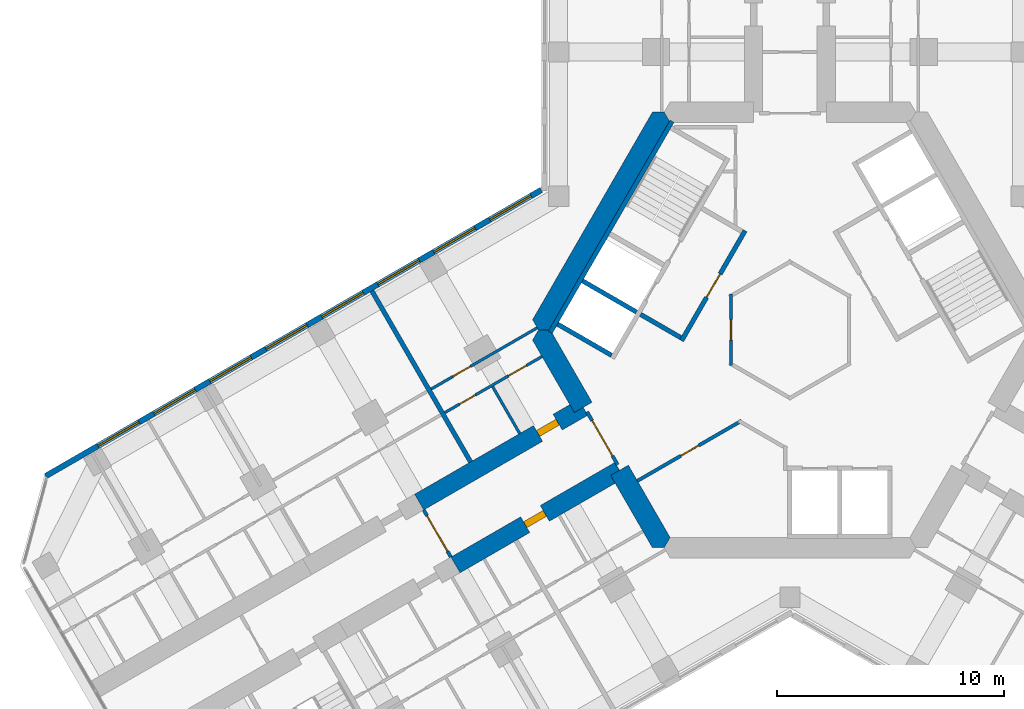
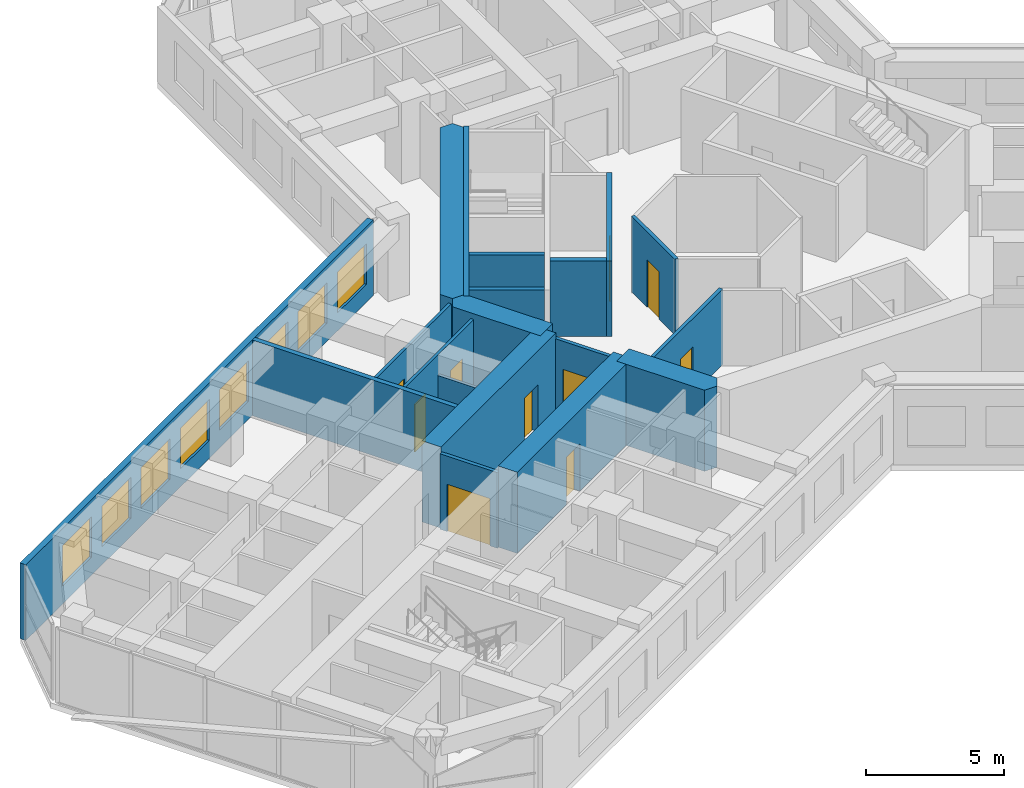
# One storey, part 12 of 19: 19 walls, 10 doors, 8 windows, 18 openings.
"""IFC4 building model written with IfcOpenShell, lengths in metres."""

from ifc_helpers import new_model, si_unit, direction, frame, frame_2d, origin, place, context, subcontext, project, spatial, polyline, rectangle, outline, extrude, material, layer, layer_set, type_object, element, fill, save


model = new_model("IFC4")

# Units and contexts
model_context = context("Model", 3, precision=1e-05, world=origin(), true_north=direction((0.0, 1.0)))
body_context = subcontext(model_context, "Body", "Model", "MODEL_VIEW")
ifc_project = project(units=[si_unit("LENGTHUNIT", "METRE"), si_unit("AREAUNIT", "SQUARE_METRE"), si_unit("VOLUMEUNIT", "CUBIC_METRE"), si_unit("PLANEANGLEUNIT", "RADIAN"), si_unit("MASSUNIT", "GRAM", prefix="KILO")], contexts=[model_context])

# Site, building, storey
site_placement = place(None, origin())
site = spatial("IfcSite", under=ifc_project, at=site_placement, CompositionType="ELEMENT")
building_placement = place(site_placement, origin())
building = spatial("IfcBuilding", under=site, at=building_placement, Name="Kosmar Iwan School Tower", CompositionType="ELEMENT")
storey_placement = place(building_placement, frame((0.0, 0.0, 168.800048828125)))
storey = spatial("IfcBuildingStorey", under=building, at=storey_placement, Name="L42", CompositionType="ELEMENT", Elevation=168.800048828125)

# Wall, opening, door
ifc_material_1 = material(Name="Gypsum board on steel studs, fire-rated", Category="steel")
ifc_layer_1 = layer(ifc_material_1, 0.14990234375)
ifc_layer_set_1 = layer_set([ifc_layer_1], Name="Core room partition 150")
wall_type_1 = type_object("IfcWallType", Name="Core room partition 150", PredefinedType="PARTITIONING", material=ifc_layer_set_1)
wall_1_placement = place(storey_placement, frame((-6.728515625, -6.656005859375, 0.0), z_axis=(0.0, 0.0, 1.0), x_axis=(0.866022320763, 0.500005339912, 0.0)))
wall_1 = element("IfcWall", 1, at=wall_1_placement, inside=storey, type_object=wall_type_1, Name="Core room partition L42-CW5", PredefinedType="PARTITIONING", context=body_context, shape_type="SweptSolid", body=[
    extrude(rectangle(XDim=5.30419921875, YDim=0.14990234375, at=frame_2d((2.652099609375, 0.0))), origin(), (0.0, 0.0, 1.0), 3.349853515625),
])
opening_1_placement = place(wall_1_placement, frame((2.221923828125, 0.0, 0.0)))
opening_1 = element("IfcOpeningElement", 2, at=opening_1_placement, cuts=wall_1, Name="Opening D14", PredefinedType="OPENING", context=body_context, shape_type="SweptSolid", body=[
    extrude(rectangle(XDim=0.89990234375, YDim=2.10009765625, at=frame_2d((0.449951171875, 1.050048828125))), frame((0.0, 0.0869140625, 0.0), z_axis=(0.0, -1.0, 0.0), x_axis=(1.0, 0.0, 0.0)), (0.0, 0.0, 1.0), 0.173828125),
])
ifc_material_2 = material(Name="Timber fire door in steel frame", Category="steel")
door_type_1 = type_object("IfcDoorType", Name="Core room door 900x2100", OperationType="SINGLE_SWING_LEFT", PredefinedType="DOOR", material=ifc_material_2)
door_1_placement = place(opening_1_placement, origin())
door_1 = element("IfcDoor", 3, at=door_1_placement, inside=storey, type_object=door_type_1, Name="Refuse and recycling room door L42 3", OperationType="SINGLE_SWING_RIGHT", OverallHeight=2.10009765625, OverallWidth=0.89990234375, PredefinedType="DOOR", context=body_context, shape_type="SweptSolid", body=[
    extrude(rectangle(XDim=0.89990234375, YDim=2.10009765625, at=frame_2d((0.449951171875, 1.050048828125))), frame((0.0, 0.02490234375, 0.0), z_axis=(0.0, -1.0, 0.0), x_axis=(1.0, 0.0, 0.0)), (0.0, 0.0, 1.0), 0.050048828125),
])
fill(opening_1, door_1)

wall_2_placement = place(storey_placement, frame((-2.60009765625, -1.576171875, 0.0), z_axis=(0.0, 0.0, 1.0), x_axis=(0.0, 1.0, 0.0)))
wall_2 = element("IfcWall", 4, at=wall_2_placement, inside=storey, type_object=wall_type_1, Name="Core room partition L42-CW10", PredefinedType="PARTITIONING", context=body_context, shape_type="SweptSolid", body=[
    extrude(rectangle(XDim=3.15234375, YDim=0.14990234375, at=frame_2d((1.576171875, 0.0))), origin(), (0.0, 0.0, 1.0), 3.349853515625),
])
opening_2_placement = place(wall_2_placement, frame((1.1259765625, 0.0, 0.0)))
opening_2 = element("IfcOpeningElement", 5, at=opening_2_placement, cuts=wall_2, Name="Opening D14", PredefinedType="OPENING", context=body_context, shape_type="SweptSolid", body=[
    extrude(rectangle(XDim=0.89990234375, YDim=2.10009765625, at=frame_2d((0.449951171875, 1.050048828125))), frame((0.0, 0.0869140625, 0.0), z_axis=(0.0, -1.0, 0.0), x_axis=(1.0, 0.0, 0.0)), (0.0, 0.0, 1.0), 0.173828125),
])
door_2_placement = place(opening_2_placement, origin())
door_2 = element("IfcDoor", 6, at=door_2_placement, inside=storey, type_object=door_type_1, Name="Bulky waste store door L42 4", OperationType="SINGLE_SWING_LEFT", OverallHeight=2.10009765625, OverallWidth=0.89990234375, PredefinedType="DOOR", context=body_context, shape_type="SweptSolid", body=[
    extrude(rectangle(XDim=0.89990234375, YDim=2.10009765625, at=frame_2d((0.449951171875, 1.050048828125))), frame((0.0, 0.02490234375, 0.0), z_axis=(0.0, -1.0, 0.0), x_axis=(1.0, 0.0, 0.0)), (0.0, 0.0, 1.0), 0.050048828125),
])
fill(opening_2, door_2)

# Walls
ifc_material_3 = material(Name="Concrete C50/60", Category="concrete")
ifc_layer_2 = layer(ifc_material_3, 0.89990234375)
ifc_layer_set_2 = layer_set([ifc_layer_2], Name="Core wall 900")
wall_type_2 = type_object("IfcWallType", Name="Core wall 900", PredefinedType="SHEAR", material=ifc_layer_set_2)
wall_3_placement = place(storey_placement, origin())
element("IfcWall", 7, at=wall_3_placement, inside=storey, type_object=wall_type_2, Name="Core wall F150", PredefinedType="SHEAR", context=body_context, shape_type="SweptSolid", body=[
    extrude(outline(polyline([(-11.085205078125, 0.0), (-10.5654296875, 0.0), (-5.28271484375, 9.14990234375), (-5.54248046875, 9.60009765625), (-6.062255859375, 9.60009765625), (-11.344970703125, 0.449951171875), (-11.085205078125, 0.0)])), origin(), (0.0, 0.0, 1.0), 3.599853515625),
])
wall_4_placement = place(storey_placement, origin())
element("IfcWall", 8, at=wall_4_placement, inside=storey, type_object=wall_type_2, Name="Core wall F210a", PredefinedType="SHEAR", context=body_context, shape_type="SweptSolid", body=[
    extrude(outline(polyline([(-9.503662109375, -3.639404296875), (-8.72412109375, -3.189453125), (-10.5654296875, 0.0), (-11.085205078125, 0.0), (-11.344970703125, -0.449951171875), (-9.503662109375, -3.639404296875)])), origin(), (0.0, 0.0, 1.0), 3.599853515625),
])
wall_5_placement = place(storey_placement, origin())
element("IfcWall", 9, at=wall_5_placement, inside=storey, type_object=wall_type_2, Name="Core wall F210b", PredefinedType="SHEAR", context=body_context, shape_type="SweptSolid", body=[
    extrude(outline(polyline([(-6.062255859375, -9.60009765625), (-5.54248046875, -9.60009765625), (-5.28271484375, -9.14990234375), (-7.1240234375, -5.960693359375), (-7.903564453125, -6.41064453125), (-6.062255859375, -9.60009765625)])), origin(), (0.0, 0.0, 1.0), 3.599853515625),
])

# Wall, opening, door
ifc_material_4 = material(Name="Concrete C50/60", Category="concrete")
ifc_layer_3 = layer(ifc_material_4, 0.800048828125)
ifc_layer_set_3 = layer_set([ifc_layer_3], Name="Corridor buttress wall 800")
wall_type_3 = type_object("IfcWallType", Name="Corridor buttress wall 800", PredefinedType="SHEAR", material=ifc_layer_set_3)
wall_6_placement = place(storey_placement, frame((-7.513916015625, -6.185546875, 0.0), z_axis=(0.0, 0.0, 1.0), x_axis=(-0.866019549707, -0.500010139422, 0.0)))
wall_6 = element("IfcWall", 10, at=wall_6_placement, inside=storey, type_object=wall_type_3, Name="Corridor wall BL", PredefinedType="SHEAR", context=body_context, shape_type="SweptSolid", body=[
    extrude(rectangle(XDim=8.349853515625, YDim=0.800048828125, at=frame_2d((4.1748046875, 0.0))), origin(), (0.0, 0.0, 1.0), 3.599853515625),
])
opening_3_placement = place(wall_6_placement, frame((3.800048828125, 0.0, 0.0)))
opening_3 = element("IfcOpeningElement", 11, at=opening_3_placement, cuts=wall_6, Name="Opening D1", PredefinedType="OPENING", context=body_context, shape_type="SweptSolid", body=[
    extrude(rectangle(XDim=1.0, YDim=2.10009765625, at=frame_2d((0.5, 1.050048828125))), frame((0.0, 0.412109375, 0.0), z_axis=(0.0, -1.0, 0.0), x_axis=(1.0, 0.0, 0.0)), (0.0, 0.0, 1.0), 0.823974609375),
])
ifc_material_5 = material(Name="Timber fire door in steel frame", Category="steel")
door_type_2 = type_object("IfcDoorType", Name="Flat entrance door 1000x2100", OperationType="SINGLE_SWING_LEFT", PredefinedType="DOOR", material=ifc_material_5)
door_3_placement = place(opening_3_placement, origin())
door_3 = element("IfcDoor", 12, at=door_3_placement, inside=storey, type_object=door_type_2, Name="Flat L42-BL1 entrance door", OperationType="SINGLE_SWING_LEFT", OverallHeight=2.10009765625, OverallWidth=1.0, PredefinedType="DOOR", context=body_context, shape_type="SweptSolid", body=[
    extrude(rectangle(XDim=1.0, YDim=2.10009765625, at=frame_2d((0.5, 1.050048828125))), frame((0.0, 0.14990234375, 0.0), z_axis=(0.0, -1.0, 0.0), x_axis=(1.0, 0.0, 0.0)), (0.0, 0.0, 1.0), 0.300048828125),
])
fill(opening_3, door_3)

wall_7_placement = place(storey_placement, frame((-9.11376953125, -3.414306640625, 0.0), z_axis=(0.0, 0.0, 1.0), x_axis=(-0.866026859388, -0.499997478812, 0.0)))
wall_7 = element("IfcWall", 13, at=wall_7_placement, inside=storey, type_object=wall_type_3, Name="Corridor wall BR", PredefinedType="SHEAR", context=body_context, shape_type="SweptSolid", body=[
    extrude(rectangle(XDim=8.35009765625, YDim=0.800048828125, at=frame_2d((4.175048828125, 0.0))), origin(), (0.0, 0.0, 1.0), 3.599853515625),
])
opening_4_placement = place(wall_7_placement, frame((1.300048828125, 0.0, 0.0)))
opening_4 = element("IfcOpeningElement", 14, at=opening_4_placement, cuts=wall_7, Name="Opening D1", PredefinedType="OPENING", context=body_context, shape_type="SweptSolid", body=[
    extrude(rectangle(XDim=1.0, YDim=2.10009765625, at=frame_2d((0.5, 1.050048828125))), frame((0.0, 0.412109375, 0.0), z_axis=(0.0, -1.0, 0.0), x_axis=(1.0, 0.0, 0.0)), (0.0, 0.0, 1.0), 0.823974609375),
])
door_4_placement = place(opening_4_placement, origin())
door_4 = element("IfcDoor", 15, at=door_4_placement, inside=storey, type_object=door_type_2, Name="Flat L42-BR1 entrance door", OperationType="SINGLE_SWING_LEFT", OverallHeight=2.10009765625, OverallWidth=1.0, PredefinedType="DOOR", context=body_context, shape_type="SweptSolid", body=[
    extrude(rectangle(XDim=1.0, YDim=2.10009765625, at=frame_2d((0.5, 1.050048828125))), frame((0.0, 0.14990234375, 0.0), z_axis=(0.0, -1.0, 0.0), x_axis=(1.0, 0.0, 0.0)), (0.0, 0.0, 1.0), 0.300048828125),
])
fill(opening_4, door_4)

ifc_material_6 = material(Name="Gypsum board on steel studs, fire-rated", Category="steel")
ifc_layer_4 = layer(ifc_material_6, 0.14990234375)
ifc_layer_set_4 = layer_set([ifc_layer_4], Name="Corridor end wall 150")
wall_type_4 = type_object("IfcWallType", Name="Corridor end wall 150", PredefinedType="PARTITIONING", material=ifc_layer_set_4)
wall_8_placement = place(storey_placement, frame((-16.145263671875, -7.935791015625, 0.0), z_axis=(0.0, 0.0, 1.0), x_axis=(0.500077600433, -0.865980596518, 0.0)))
wall_8 = element("IfcWall", 16, at=wall_8_placement, inside=storey, type_object=wall_type_4, Name="Partition L42-B-HW", PredefinedType="PARTITIONING", context=body_context, shape_type="SweptSolid", body=[
    extrude(rectangle(XDim=2.39990234375, YDim=0.14990234375, at=frame_2d((1.199951171875, 0.0))), origin(), (0.0, 0.0, 1.0), 3.349853515625),
])
opening_5_placement = place(wall_8_placement, frame((0.300048828125, 0.0, 0.0)))
opening_5 = element("IfcOpeningElement", 17, at=opening_5_placement, cuts=wall_8, Name="Opening D9", PredefinedType="OPENING", context=body_context, shape_type="SweptSolid", body=[
    extrude(rectangle(XDim=1.800048828125, YDim=2.10009765625, at=frame_2d((0.89990234375, 1.050048828125))), frame((0.0, 0.0869140625, 0.0), z_axis=(0.0, -1.0, 0.0), x_axis=(1.0, 0.0, 0.0)), (0.0, 0.0, 1.0), 0.173828125),
])
ifc_material_7 = material(Name="Steel framed glazed smoke door", Category="steel")
door_type_3 = type_object("IfcDoorType", Name="Corridor smoke door pair 1800x2100", OperationType="DOUBLE_DOOR_DOUBLE_SWING", PredefinedType="DOOR", material=ifc_material_7)
door_5_placement = place(opening_5_placement, origin())
door_5 = element("IfcDoor", 18, at=door_5_placement, inside=storey, type_object=door_type_3, Name="Hashti vestibule smoke doors L42-B", OperationType="DOUBLE_DOOR_DOUBLE_SWING", OverallHeight=2.10009765625, OverallWidth=1.800048828125, PredefinedType="DOOR", context=body_context, shape_type="SweptSolid", body=[
    extrude(rectangle(XDim=1.800048828125, YDim=2.10009765625, at=frame_2d((0.89990234375, 1.050048828125))), frame((0.0, 0.02490234375, 0.0), z_axis=(0.0, -1.0, 0.0), x_axis=(1.0, 0.0, 0.0)), (0.0, 0.0, 1.0), 0.050048828125),
])
fill(opening_5, door_5)

ifc_material_8 = material(Name="Steel framed glazed screen", Category="steel")
ifc_layer_5 = layer(ifc_material_8, 0.14990234375)
ifc_layer_set_5 = layer_set([ifc_layer_5], Name="Corridor screen wall 150")
wall_type_5 = type_object("IfcWallType", Name="Corridor screen wall 150", PredefinedType="PARTITIONING", material=ifc_layer_set_5)
wall_9_placement = place(storey_placement, frame((-8.945556640625, -3.60595703125, 0.0), z_axis=(0.0, 0.0, 1.0), x_axis=(0.500048589285, -0.86599734893, 0.0)))
wall_9 = element("IfcWall", 19, at=wall_9_placement, inside=storey, type_object=wall_type_5, Name="Corridor screen B L42", PredefinedType="PARTITIONING", context=body_context, shape_type="SweptSolid", body=[
    extrude(rectangle(XDim=2.699951171875, YDim=0.14990234375, at=frame_2d((1.35009765625, 0.0))), origin(), (0.0, 0.0, 1.0), 3.349853515625),
])
opening_6_placement = place(wall_9_placement, frame((0.449951171875, 0.0, 0.0)))
opening_6 = element("IfcOpeningElement", 20, at=opening_6_placement, cuts=wall_9, Name="Opening D9", PredefinedType="OPENING", context=body_context, shape_type="SweptSolid", body=[
    extrude(rectangle(XDim=1.800048828125, YDim=2.10009765625, at=frame_2d((0.89990234375, 1.050048828125))), frame((0.0, 0.0869140625, 0.0), z_axis=(0.0, -1.0, 0.0), x_axis=(1.0, 0.0, 0.0)), (0.0, 0.0, 1.0), 0.173828125),
])
door_6_placement = place(opening_6_placement, origin())
door_6 = element("IfcDoor", 21, at=door_6_placement, inside=storey, type_object=door_type_3, Name="Corridor doors B L42", OperationType="DOUBLE_DOOR_DOUBLE_SWING", OverallHeight=2.10009765625, OverallWidth=1.800048828125, PredefinedType="DOOR", context=body_context, shape_type="SweptSolid", body=[
    extrude(rectangle(XDim=1.800048828125, YDim=2.10009765625, at=frame_2d((0.89990234375, 1.050048828125))), frame((0.0, 0.02490234375, 0.0), z_axis=(0.0, -1.0, 0.0), x_axis=(1.0, 0.0, 0.0)), (0.0, 0.0, 1.0), 0.050048828125),
])
fill(opening_6, door_6)

# Wall, openings, doors
ifc_material_9 = material(Name="Gypsum board on steel studs", Category="steel")
ifc_layer_6 = layer(ifc_material_9, 0.1201171875)
ifc_layer_set_6 = layer_set([ifc_layer_6], Name="Dwelling partition 120")
wall_type_6 = type_object("IfcWallType", Name="Dwelling partition 120", PredefinedType="PARTITIONING", material=ifc_layer_set_6)
wall_10_placement = place(storey_placement, frame((-10.928466796875, -1.171142578125, 0.0), z_axis=(0.0, 0.0, 1.0), x_axis=(-0.866018855338, -0.500011342071, 0.0)))
wall_10 = element("IfcWall", 22, at=wall_10_placement, inside=storey, type_object=wall_type_6, Name="Partition L42-BR1-W1", PredefinedType="PARTITIONING", context=body_context, shape_type="SweptSolid", body=[
    extrude(rectangle(XDim=4.9501953125, YDim=0.1201171875, at=frame_2d((2.47509765625, 0.0))), origin(), (0.0, 0.0, 1.0), 3.349853515625),
])
opening_7_placement = place(wall_10_placement, frame((0.800048828125, 0.0, 0.0)))
opening_7 = element("IfcOpeningElement", 23, at=opening_7_placement, cuts=wall_10, Name="Opening D2", PredefinedType="OPENING", context=body_context, shape_type="SweptSolid", body=[
    extrude(rectangle(XDim=0.89990234375, YDim=2.10009765625, at=frame_2d((0.449951171875, 1.050048828125))), frame((0.0, 0.072021484375, 0.0), z_axis=(0.0, -1.0, 0.0), x_axis=(1.0, 0.0, 0.0)), (0.0, 0.0, 1.0), 0.14404296875),
])
opening_8_placement = place(wall_10_placement, frame((3.39990234375, 0.0, 0.0)))
opening_8 = element("IfcOpeningElement", 24, at=opening_8_placement, cuts=wall_10, Name="Opening D3", PredefinedType="OPENING", context=body_context, shape_type="SweptSolid", body=[
    extrude(rectangle(XDim=0.800048828125, YDim=2.10009765625, at=frame_2d((0.39990234375, 1.050048828125))), frame((0.0, 0.072021484375, 0.0), z_axis=(0.0, -1.0, 0.0), x_axis=(1.0, 0.0, 0.0)), (0.0, 0.0, 1.0), 0.14404296875),
])
ifc_material_10 = material(Name="Timber door in timber frame", Category="wood")
door_type_4 = type_object("IfcDoorType", Name="Internal door 900x2100", OperationType="SINGLE_SWING_LEFT", PredefinedType="DOOR", material=ifc_material_10)
door_7_placement = place(opening_7_placement, origin())
door_7 = element("IfcDoor", 25, at=door_7_placement, inside=storey, type_object=door_type_4, Name="Entrance hall door L42-BR1-S1", OperationType="SINGLE_SWING_LEFT", OverallHeight=2.10009765625, OverallWidth=0.89990234375, PredefinedType="DOOR", context=body_context, shape_type="SweptSolid", body=[
    extrude(rectangle(XDim=0.89990234375, YDim=2.10009765625, at=frame_2d((0.449951171875, 1.050048828125))), frame((0.0, 0.02490234375, 0.0), z_axis=(0.0, -1.0, 0.0), x_axis=(1.0, 0.0, 0.0)), (0.0, 0.0, 1.0), 0.050048828125),
])
fill(opening_7, door_7)
ifc_material_11 = material(Name="Timber door in timber frame", Category="wood")
door_type_5 = type_object("IfcDoorType", Name="Sanitary room door 800x2100", OperationType="SINGLE_SWING_LEFT", PredefinedType="DOOR", material=ifc_material_11)
door_8_placement = place(opening_8_placement, origin())
door_8 = element("IfcDoor", 26, at=door_8_placement, inside=storey, type_object=door_type_5, Name="Bathroom door L42-BR1-S2", OperationType="SINGLE_SWING_RIGHT", OverallHeight=2.10009765625, OverallWidth=0.800048828125, PredefinedType="DOOR", context=body_context, shape_type="SweptSolid", body=[
    extrude(rectangle(XDim=0.800048828125, YDim=2.10009765625, at=frame_2d((0.39990234375, 1.050048828125))), frame((0.0, 0.02490234375, 0.0), z_axis=(0.0, -1.0, 0.0), x_axis=(1.0, 0.0, 0.0)), (0.0, 0.0, 1.0), 0.050048828125),
])
fill(opening_8, door_8)

# Wall, opening, door
wall_11_placement = place(storey_placement, frame((-11.138916015625, 0.093017578125, 0.0), z_axis=(0.0, 0.0, 1.0), x_axis=(-0.866028230842, -0.499995103361, 0.0)))
wall_11 = element("IfcWall", 27, at=wall_11_placement, inside=storey, type_object=wall_type_6, Name="Partition L42-BR1-W2", PredefinedType="PARTITIONING", context=body_context, shape_type="SweptSolid", body=[
    extrude(rectangle(XDim=5.39990234375, YDim=0.1201171875, at=frame_2d((2.699951171875, 0.0))), origin(), (0.0, 0.0, 1.0), 3.349853515625),
])
opening_9_placement = place(wall_11_placement, frame((3.39990234375, 0.0, 0.0)))
opening_9 = element("IfcOpeningElement", 28, at=opening_9_placement, cuts=wall_11, Name="Opening D2", PredefinedType="OPENING", context=body_context, shape_type="SweptSolid", body=[
    extrude(rectangle(XDim=0.89990234375, YDim=2.10009765625, at=frame_2d((0.449951171875, 1.050048828125))), frame((0.0, 0.072021484375, 0.0), z_axis=(0.0, -1.0, 0.0), x_axis=(1.0, 0.0, 0.0)), (0.0, 0.0, 1.0), 0.14404296875),
])
door_9_placement = place(opening_9_placement, origin())
door_9 = element("IfcDoor", 29, at=door_9_placement, inside=storey, type_object=door_type_4, Name="Studio living room and kitchen door L42-BR1-F1", OperationType="SINGLE_SWING_RIGHT", OverallHeight=2.10009765625, OverallWidth=0.89990234375, PredefinedType="DOOR", context=body_context, shape_type="SweptSolid", body=[
    extrude(rectangle(XDim=0.89990234375, YDim=2.10009765625, at=frame_2d((0.449951171875, 1.050048828125))), frame((0.0, 0.02490234375, 0.0), z_axis=(0.0, -1.0, 0.0), x_axis=(1.0, 0.0, 0.0)), (0.0, 0.0, 1.0), 0.050048828125),
])
fill(opening_9, door_9)

# Wall
wall_12_placement = place(storey_placement, frame((-11.911865234375, -4.56787109375, 0.0), z_axis=(0.0, 0.0, 1.0), x_axis=(-0.500017192868, 0.86601547725, 0.0)))
element("IfcWall", 30, at=wall_12_placement, inside=storey, type_object=wall_type_6, Name="Partition L42-BR1-Y1", PredefinedType="PARTITIONING", context=body_context, shape_type="SweptSolid", body=[
    extrude(rectangle(XDim=2.39013671875, YDim=0.1201171875, at=frame_2d((1.195068359375, 0.0))), origin(), (0.0, 0.0, 1.0), 2.449951171875),
])

# Wall, openings, windows
ifc_material_12 = material(Name="Black aluminium rainscreen on insulated framing", Category="aluminium")
ifc_layer_7 = layer(ifc_material_12, 0.25)
ifc_layer_set_7 = layer_set([ifc_layer_7], Name="External wall rainscreen 250")
wall_type_7 = type_object("IfcWallType", Name="External wall rainscreen 250", PredefinedType="SOLIDWALL", material=ifc_layer_set_7)
wall_13_placement = place(storey_placement, frame((-10.962890625, 6.170166015625, 0.0), z_axis=(0.0, 0.0, 1.0), x_axis=(-0.86602796634, -0.499995561497, 0.0)))
wall_13 = element("IfcWall", 31, at=wall_13_placement, inside=storey, type_object=wall_type_7, Name="External wall BR L42", PredefinedType="SOLIDWALL", context=body_context, shape_type="SweptSolid", body=[
    extrude(rectangle(XDim=25.226318359375, YDim=0.25, at=frame_2d((12.61328125, 0.0))), origin(), (0.0, 0.0, 1.0), 3.349853515625),
])
opening_10_placement = place(wall_13_placement, frame((0.51611328125, 0.0, 0.800048828125)))
opening_10 = element("IfcOpeningElement", 32, at=opening_10_placement, cuts=wall_13, Name="Opening W4", PredefinedType="OPENING", context=body_context, shape_type="SweptSolid", body=[
    extrude(rectangle(XDim=2.10009765625, YDim=1.800048828125, at=frame_2d((1.050048828125, 0.89990234375))), frame((0.0, 0.136962890625, 0.0), z_axis=(0.0, -1.0, 0.0), x_axis=(1.0, 0.0, 0.0)), (0.0, 0.0, 1.0), 0.27392578125),
])
opening_11_placement = place(wall_13_placement, frame((3.365966796875, 0.0, 0.800048828125)))
opening_11 = element("IfcOpeningElement", 33, at=opening_11_placement, cuts=wall_13, Name="Opening W4", PredefinedType="OPENING", context=body_context, shape_type="SweptSolid", body=[
    extrude(rectangle(XDim=2.10009765625, YDim=1.800048828125, at=frame_2d((1.050048828125, 0.89990234375))), frame((0.0, 0.136962890625, 0.0), z_axis=(0.0, -1.0, 0.0), x_axis=(1.0, 0.0, 0.0)), (0.0, 0.0, 1.0), 0.27392578125),
])
opening_12_placement = place(wall_13_placement, frame((6.216064453125, 0.0, 0.800048828125)))
opening_12 = element("IfcOpeningElement", 34, at=opening_12_placement, cuts=wall_13, Name="Opening W4", PredefinedType="OPENING", context=body_context, shape_type="SweptSolid", body=[
    extrude(rectangle(XDim=2.10009765625, YDim=1.800048828125, at=frame_2d((1.050048828125, 0.89990234375))), frame((0.0, 0.136962890625, 0.0), z_axis=(0.0, -1.0, 0.0), x_axis=(1.0, 0.0, 0.0)), (0.0, 0.0, 1.0), 0.27392578125),
])
opening_13_placement = place(wall_13_placement, frame((9.06591796875, 0.0, 0.800048828125)))
opening_13 = element("IfcOpeningElement", 35, at=opening_13_placement, cuts=wall_13, Name="Opening W4", PredefinedType="OPENING", context=body_context, shape_type="SweptSolid", body=[
    extrude(rectangle(XDim=2.10009765625, YDim=1.800048828125, at=frame_2d((1.050048828125, 0.89990234375))), frame((0.0, 0.136962890625, 0.0), z_axis=(0.0, -1.0, 0.0), x_axis=(1.0, 0.0, 0.0)), (0.0, 0.0, 1.0), 0.27392578125),
])
opening_14_placement = place(wall_13_placement, frame((11.916015625, 0.0, 0.800048828125)))
opening_14 = element("IfcOpeningElement", 36, at=opening_14_placement, cuts=wall_13, Name="Opening W4", PredefinedType="OPENING", context=body_context, shape_type="SweptSolid", body=[
    extrude(rectangle(XDim=2.10009765625, YDim=1.800048828125, at=frame_2d((1.050048828125, 0.89990234375))), frame((0.0, 0.136962890625, 0.0), z_axis=(0.0, -1.0, 0.0), x_axis=(1.0, 0.0, 0.0)), (0.0, 0.0, 1.0), 0.27392578125),
])
opening_15_placement = place(wall_13_placement, frame((14.76611328125, 0.0, 0.800048828125)))
opening_15 = element("IfcOpeningElement", 37, at=opening_15_placement, cuts=wall_13, Name="Opening W4", PredefinedType="OPENING", context=body_context, shape_type="SweptSolid", body=[
    extrude(rectangle(XDim=2.10009765625, YDim=1.800048828125, at=frame_2d((1.050048828125, 0.89990234375))), frame((0.0, 0.136962890625, 0.0), z_axis=(0.0, -1.0, 0.0), x_axis=(1.0, 0.0, 0.0)), (0.0, 0.0, 1.0), 0.27392578125),
])
opening_16_placement = place(wall_13_placement, frame((17.615966796875, 0.0, 0.800048828125)))
opening_16 = element("IfcOpeningElement", 38, at=opening_16_placement, cuts=wall_13, Name="Opening W4", PredefinedType="OPENING", context=body_context, shape_type="SweptSolid", body=[
    extrude(rectangle(XDim=2.10009765625, YDim=1.800048828125, at=frame_2d((1.050048828125, 0.89990234375))), frame((0.0, 0.136962890625, 0.0), z_axis=(0.0, -1.0, 0.0), x_axis=(1.0, 0.0, 0.0)), (0.0, 0.0, 1.0), 0.27392578125),
])
opening_17_placement = place(wall_13_placement, frame((20.466064453125, 0.0, 0.800048828125)))
opening_17 = element("IfcOpeningElement", 39, at=opening_17_placement, cuts=wall_13, Name="Opening W4", PredefinedType="OPENING", context=body_context, shape_type="SweptSolid", body=[
    extrude(rectangle(XDim=2.10009765625, YDim=1.800048828125, at=frame_2d((1.050048828125, 0.89990234375))), frame((0.0, 0.136962890625, 0.0), z_axis=(0.0, -1.0, 0.0), x_axis=(1.0, 0.0, 0.0)), (0.0, 0.0, 1.0), 0.27392578125),
])
ifc_material_13 = material(Name="Black aluminium frame with dark triple glazing", Category="aluminium")
window_type = type_object("IfcWindowType", Name="Window 2100x1800", PartitioningType="SINGLE_PANEL", PredefinedType="WINDOW", material=ifc_material_13)
window_1_placement = place(opening_10_placement, origin())
window_1 = element("IfcWindow", 40, at=window_1_placement, inside=storey, type_object=window_type, Name="Window BR L42 -1", OverallHeight=1.800048828125, OverallWidth=2.10009765625, PartitioningType="SINGLE_PANEL", PredefinedType="WINDOW", context=body_context, shape_type="SweptSolid", body=[
    extrude(rectangle(XDim=2.10009765625, YDim=1.800048828125, at=frame_2d((1.050048828125, 0.89990234375))), frame((0.0, 0.030029296875, 0.0), z_axis=(0.0, -1.0, 0.0), x_axis=(1.0, 0.0, 0.0)), (0.0, 0.0, 1.0), 0.06005859375),
])
fill(opening_10, window_1)
window_2_placement = place(opening_11_placement, origin())
window_2 = element("IfcWindow", 41, at=window_2_placement, inside=storey, type_object=window_type, Name="Window BR L42 0", OverallHeight=1.800048828125, OverallWidth=2.10009765625, PartitioningType="SINGLE_PANEL", PredefinedType="WINDOW", context=body_context, shape_type="SweptSolid", body=[
    extrude(rectangle(XDim=2.10009765625, YDim=1.800048828125, at=frame_2d((1.050048828125, 0.89990234375))), frame((0.0, 0.030029296875, 0.0), z_axis=(0.0, -1.0, 0.0), x_axis=(1.0, 0.0, 0.0)), (0.0, 0.0, 1.0), 0.06005859375),
])
fill(opening_11, window_2)
window_3_placement = place(opening_12_placement, origin())
window_3 = element("IfcWindow", 42, at=window_3_placement, inside=storey, type_object=window_type, Name="Window BR L42 1", OverallHeight=1.800048828125, OverallWidth=2.10009765625, PartitioningType="SINGLE_PANEL", PredefinedType="WINDOW", context=body_context, shape_type="SweptSolid", body=[
    extrude(rectangle(XDim=2.10009765625, YDim=1.800048828125, at=frame_2d((1.050048828125, 0.89990234375))), frame((0.0, 0.030029296875, 0.0), z_axis=(0.0, -1.0, 0.0), x_axis=(1.0, 0.0, 0.0)), (0.0, 0.0, 1.0), 0.06005859375),
])
fill(opening_12, window_3)
window_4_placement = place(opening_13_placement, origin())
window_4 = element("IfcWindow", 43, at=window_4_placement, inside=storey, type_object=window_type, Name="Window BR L42 2", OverallHeight=1.800048828125, OverallWidth=2.10009765625, PartitioningType="SINGLE_PANEL", PredefinedType="WINDOW", context=body_context, shape_type="SweptSolid", body=[
    extrude(rectangle(XDim=2.10009765625, YDim=1.800048828125, at=frame_2d((1.050048828125, 0.89990234375))), frame((0.0, 0.030029296875, 0.0), z_axis=(0.0, -1.0, 0.0), x_axis=(1.0, 0.0, 0.0)), (0.0, 0.0, 1.0), 0.06005859375),
])
fill(opening_13, window_4)
window_5_placement = place(opening_14_placement, origin())
window_5 = element("IfcWindow", 44, at=window_5_placement, inside=storey, type_object=window_type, Name="Window BR L42 3", OverallHeight=1.800048828125, OverallWidth=2.10009765625, PartitioningType="SINGLE_PANEL", PredefinedType="WINDOW", context=body_context, shape_type="SweptSolid", body=[
    extrude(rectangle(XDim=2.10009765625, YDim=1.800048828125, at=frame_2d((1.050048828125, 0.89990234375))), frame((0.0, 0.030029296875, 0.0), z_axis=(0.0, -1.0, 0.0), x_axis=(1.0, 0.0, 0.0)), (0.0, 0.0, 1.0), 0.06005859375),
])
fill(opening_14, window_5)
window_6_placement = place(opening_15_placement, origin())
window_6 = element("IfcWindow", 45, at=window_6_placement, inside=storey, type_object=window_type, Name="Window BR L42 4", OverallHeight=1.800048828125, OverallWidth=2.10009765625, PartitioningType="SINGLE_PANEL", PredefinedType="WINDOW", context=body_context, shape_type="SweptSolid", body=[
    extrude(rectangle(XDim=2.10009765625, YDim=1.800048828125, at=frame_2d((1.050048828125, 0.89990234375))), frame((0.0, 0.030029296875, 0.0), z_axis=(0.0, -1.0, 0.0), x_axis=(1.0, 0.0, 0.0)), (0.0, 0.0, 1.0), 0.06005859375),
])
fill(opening_15, window_6)
window_7_placement = place(opening_16_placement, origin())
window_7 = element("IfcWindow", 46, at=window_7_placement, inside=storey, type_object=window_type, Name="Window BR L42 5", OverallHeight=1.800048828125, OverallWidth=2.10009765625, PartitioningType="SINGLE_PANEL", PredefinedType="WINDOW", context=body_context, shape_type="SweptSolid", body=[
    extrude(rectangle(XDim=2.10009765625, YDim=1.800048828125, at=frame_2d((1.050048828125, 0.89990234375))), frame((0.0, 0.030029296875, 0.0), z_axis=(0.0, -1.0, 0.0), x_axis=(1.0, 0.0, 0.0)), (0.0, 0.0, 1.0), 0.06005859375),
])
fill(opening_16, window_7)
window_8_placement = place(opening_17_placement, origin())
window_8 = element("IfcWindow", 47, at=window_8_placement, inside=storey, type_object=window_type, Name="Window BR L42 6", OverallHeight=1.800048828125, OverallWidth=2.10009765625, PartitioningType="SINGLE_PANEL", PredefinedType="WINDOW", context=body_context, shape_type="SweptSolid", body=[
    extrude(rectangle(XDim=2.10009765625, YDim=1.800048828125, at=frame_2d((1.050048828125, 0.89990234375))), frame((0.0, 0.030029296875, 0.0), z_axis=(0.0, -1.0, 0.0), x_axis=(1.0, 0.0, 0.0)), (0.0, 0.0, 1.0), 0.06005859375),
])
fill(opening_17, window_8)

# Wall, opening, door
ifc_material_14 = material(Name="Concrete block masonry", Category="masonry")
ifc_layer_8 = layer(ifc_material_14, 0.199951171875)
ifc_layer_set_8 = layer_set([ifc_layer_8], Name="Fire lobby wall 200")
wall_type_8 = type_object("IfcWallType", Name="Fire lobby wall 200", PredefinedType="PARTITIONING", material=ifc_layer_set_8)
wall_14_placement = place(storey_placement, frame((-1.9775390625, 4.374755859375, 0.0), z_axis=(0.0, 0.0, 1.0), x_axis=(-0.500016814911, -0.866015695474, 0.0)))
wall_14 = element("IfcWall", 48, at=wall_14_placement, inside=storey, type_object=wall_type_8, Name="Firefighting lobby wall ST2", PredefinedType="PARTITIONING", context=body_context, shape_type="SweptSolid", body=[
    extrude(rectangle(XDim=5.599853515625, YDim=0.199951171875, at=frame_2d((2.7998046875, 0.0))), origin(), (0.0, 0.0, 1.0), 3.349853515625),
])
opening_18_placement = place(wall_14_placement, frame((2.199951171875, 0.0, 0.0)))
opening_18 = element("IfcOpeningElement", 49, at=opening_18_placement, cuts=wall_14, Name="Opening D7", PredefinedType="OPENING", context=body_context, shape_type="SweptSolid", body=[
    extrude(rectangle(XDim=1.199951171875, YDim=2.10009765625, at=frame_2d((0.60009765625, 1.050048828125))), frame((0.0, 0.112060546875, 0.0), z_axis=(0.0, -1.0, 0.0), x_axis=(1.0, 0.0, 0.0)), (0.0, 0.0, 1.0), 0.223876953125),
])
ifc_material_15 = material(Name="Steel fire door", Category="steel")
door_type_6 = type_object("IfcDoorType", Name="Fire lobby door 1200x2100", OperationType="SINGLE_SWING_LEFT", PredefinedType="DOOR", material=ifc_material_15)
door_10_placement = place(opening_18_placement, frame((1.199951171875, 0.0, 0.0), z_axis=(0.0, 0.0, 1.0), x_axis=(-1.0, 0.0, 0.0)))
door_10 = element("IfcDoor", 50, at=door_10_placement, inside=storey, type_object=door_type_6, Name="Firefighting lobby door ST2 L42", OperationType="SINGLE_SWING_RIGHT", OverallHeight=2.10009765625, OverallWidth=1.199951171875, PredefinedType="DOOR", context=body_context, shape_type="SweptSolid", body=[
    extrude(rectangle(XDim=1.199951171875, YDim=2.10009765625, at=frame_2d((0.60009765625, 1.050048828125))), frame((0.0, 0.02490234375, 0.0), z_axis=(0.0, -1.0, 0.0), x_axis=(1.0, 0.0, 0.0)), (0.0, 0.0, 1.0), 0.050048828125),
])
fill(opening_18, door_10)

# Walls
wall_15_placement = place(storey_placement, frame((-4.814208984375, -0.33837890625, 0.0), z_axis=(0.0, 0.0, 1.0), x_axis=(-0.865969381856, 0.500097020274, 0.0)))
element("IfcWall", 51, at=wall_15_placement, inside=storey, type_object=wall_type_8, Name="Firefighting lobby wall ST2", PredefinedType="PARTITIONING", context=body_context, shape_type="SweptSolid", body=[
    extrude(rectangle(XDim=2.0498046875, YDim=0.199951171875, at=frame_2d((1.02490234375, 0.0))), origin(), (0.0, 0.0, 1.0), 3.349853515625),
])
ifc_material_16 = material(Name="Concrete C50/60", Category="concrete")
ifc_layer_9 = layer(ifc_material_16, 0.199951171875)
ifc_layer_set_9 = layer_set([ifc_layer_9], Name="Lift shaft wall 200")
wall_type_9 = type_object("IfcWallType", Name="Lift shaft wall 200", PredefinedType="SHEAR", material=ifc_layer_set_9)
wall_16_placement = place(storey_placement, frame((-5.196044921875, 9.199951171875, 0.0), z_axis=(0.0, 0.0, 1.0), x_axis=(-0.499999935134, -0.866025441235, 0.0)))
element("IfcWall", 52, at=wall_16_placement, inside=storey, type_object=wall_type_9, Name="Lift and stair back wall AB", PredefinedType="SHEAR", context=body_context, shape_type="SweptSolid", body=[
    extrude(rectangle(XDim=10.73876953125, YDim=0.199951171875, at=frame_2d((5.369384765625, 0.0))), origin(), (0.0, 0.0, 1.0), 3.599853515625),
])
for number, where, z_axis, x_axis, name in (
    (53, (-6.7626953125, 0.78662109375, 0.0), (0.0, 0.0, 1.0), (-0.866027397988, 0.499996545922, 0.0), "Lift shaft wall AB 1"),
    (54, (-7.862548828125, -1.118408203125, 0.0), (0.0, 0.0, 1.0), (-0.866027397988, 0.499996545922, 0.0), "Lift shaft wall AB 2"),
):
    element("IfcWall", number, at=place(storey_placement, frame(where, z_axis=z_axis, x_axis=x_axis)), inside=storey, type_object=wall_type_9, Name=name, PredefinedType="SHEAR", context=body_context, shape_type="SweptSolid", body=[
        extrude(rectangle(XDim=2.75, YDim=0.199951171875, at=frame_2d((1.375, 0.0))), origin(), (0.0, 0.0, 1.0), 3.599853515625),
    ])
ifc_material_17 = material(Name="Concrete block masonry", Category="masonry")
ifc_layer_10 = layer(ifc_material_17, 0.199951171875)
ifc_layer_set_10 = layer_set([ifc_layer_10], Name="Party wall 200")
wall_type_10 = type_object("IfcWallType", Name="Party wall 200", PredefinedType="PARTITIONING", material=ifc_layer_set_10)
wall_17_placement = place(storey_placement, frame((-14.076904296875, -5.81787109375, 0.0), z_axis=(0.0, 0.0, 1.0), x_axis=(-0.500008278454, 0.866020624164, 0.0)))
element("IfcWall", 55, at=wall_17_placement, inside=storey, type_object=wall_type_10, Name="Partition L42-BR2-PW", PredefinedType="PARTITIONING", context=body_context, shape_type="SweptSolid", body=[
    extrude(rectangle(XDim=8.699951171875, YDim=0.199951171875, at=frame_2d((4.35009765625, 0.0))), origin(), (0.0, 0.0, 1.0), 3.349853515625),
])

save(model, "model.ifc")
